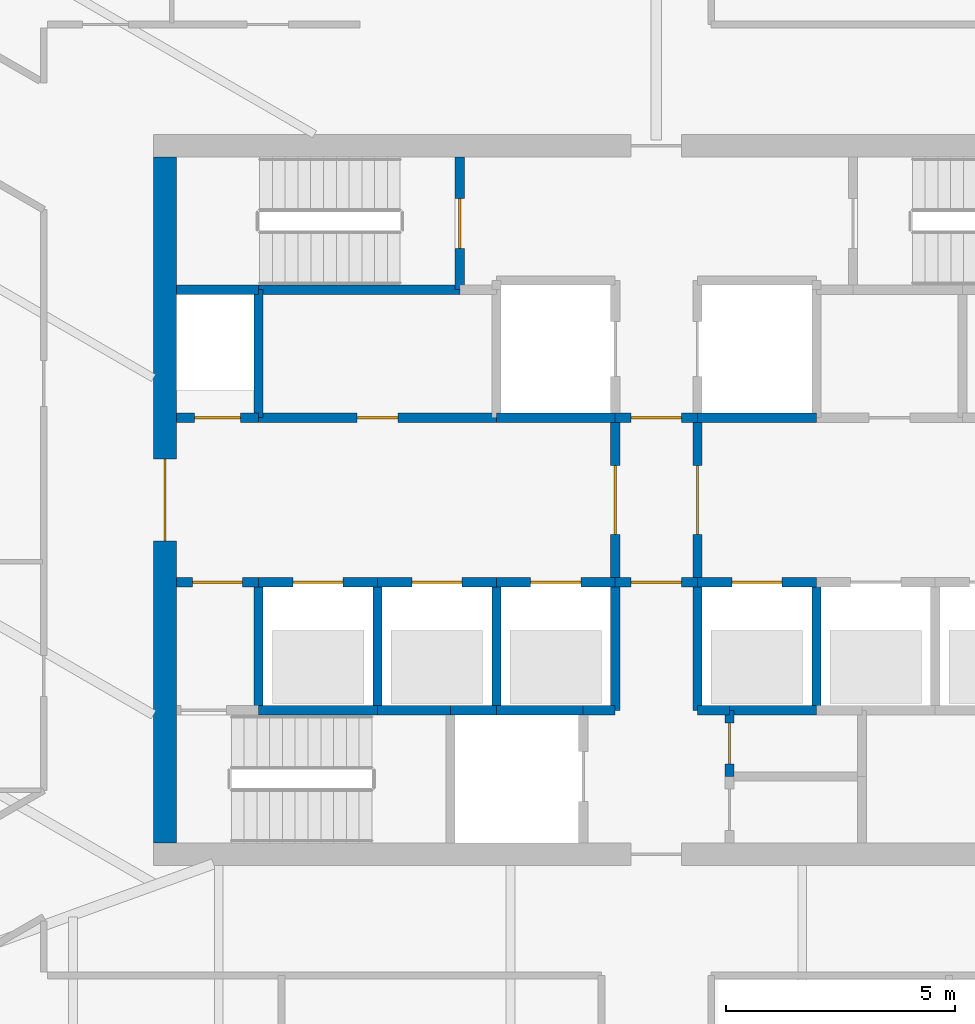
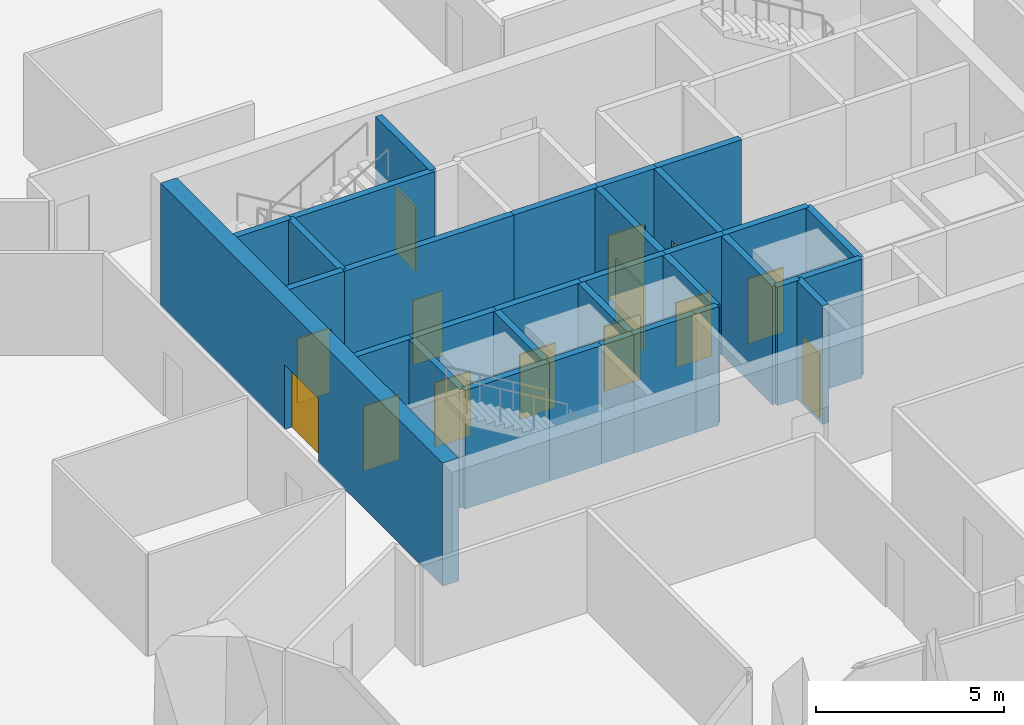
# One storey, part 9 of 18: 32 walls, 14 doors, 14 openings.
"""IFC4 building model written with IfcOpenShell, lengths in metres."""

from ifc_helpers import new_model, si_unit, direction, frame, frame_2d, origin, place, context, subcontext, project, spatial, rectangle, extrude, material, layer, layer_set, type_object, element, fill, save


model = new_model("IFC4")

# Units and contexts
model_context = context("Model", 3, precision=1e-05, world=origin(), true_north=direction((0.0, 1.0)))
body_context = subcontext(model_context, "Body", "Model", "MODEL_VIEW")
ifc_project = project(units=[si_unit("LENGTHUNIT", "METRE"), si_unit("AREAUNIT", "SQUARE_METRE"), si_unit("VOLUMEUNIT", "CUBIC_METRE"), si_unit("PLANEANGLEUNIT", "RADIAN"), si_unit("MASSUNIT", "GRAM", prefix="KILO")], contexts=[model_context])

# Site, building, storey
site_placement = place(None, origin())
site = spatial("IfcSite", under=ifc_project, at=site_placement, CompositionType="ELEMENT")
building_placement = place(site_placement, origin())
building = spatial("IfcBuilding", under=site, at=building_placement, Name="Sierra Prisma Convention Tower", CompositionType="ELEMENT")
storey_placement = place(building_placement, frame((0.0, 0.0, 287.0)))
storey = spatial("IfcBuildingStorey", under=building, at=storey_placement, Name="L65", CompositionType="ELEMENT", Elevation=287.0)

# Wall, opening, door
ifc_material_1 = material(Name="Concrete C30/37", Category="concrete")
ifc_layer_1 = layer(ifc_material_1, 0.199951171875)
ifc_layer_set_1 = layer_set([ifc_layer_1], Name="Core wall RC 200 C30/37")
wall_type_1 = type_object("IfcWallType", Name="Core wall RC 200 C30/37", PredefinedType="SOLIDWALL", material=ifc_layer_set_1)
wall_1_placement = place(storey_placement, frame((-10.5, -1.800048828125, 0.0), z_axis=(0.0, 0.0, 1.0), x_axis=(1.0, 0.0, 0.0)))
wall_1 = element("IfcWall", 1, at=wall_1_placement, inside=storey, type_object=wall_type_1, Name="Core wall L65 2", PredefinedType="SOLIDWALL", context=body_context, shape_type="SweptSolid", body=[
    extrude(rectangle(XDim=1.800048828125, YDim=0.199951171875, at=frame_2d((0.89990234375, 0.0))), origin(), (0.0, 0.0, 1.0), 3.85009765625),
])
opening_1_placement = place(wall_1_placement, frame((0.35009765625, 0.0, 0.0)))
opening_1 = element("IfcOpeningElement", 2, at=opening_1_placement, cuts=wall_1, Name="Opening L65-D012", PredefinedType="OPENING", context=body_context, shape_type="SweptSolid", body=[
    extrude(rectangle(XDim=1.10009765625, YDim=2.10009765625, at=frame_2d((0.550048828125, 1.050048828125))), frame((0.0, 0.10009765625, 0.0), z_axis=(0.0, -1.0, 0.0), x_axis=(1.0, 0.0, 0.0)), (0.0, 0.0, 1.0), 0.199951171875),
])
ifc_material_2 = material(Name="Steel fire door leaf", Category="steel")
door_type_1 = type_object("IfcDoorType", Name="Door 1100x2100 FD90S", OperationType="SINGLE_SWING_LEFT", PredefinedType="DOOR", material=ifc_material_2)
door_1_placement = place(opening_1_placement, origin())
door_1 = element("IfcDoor", 3, at=door_1_placement, inside=storey, type_object=door_type_1, Name="Door L65 27", OperationType="SINGLE_SWING_RIGHT", OverallHeight=2.10009765625, OverallWidth=1.10009765625, PredefinedType="DOOR", context=body_context, shape_type="SweptSolid", body=[
    extrude(rectangle(XDim=1.10009765625, YDim=2.10009765625, at=frame_2d((0.550048828125, 1.050048828125))), frame((0.0, 0.02490234375, 0.0), z_axis=(0.0, -1.0, 0.0), x_axis=(1.0, 0.0, 0.0)), (0.0, 0.0, 1.0), 0.050048828125),
])
fill(opening_1, door_1)

wall_2_placement = place(storey_placement, frame((-8.699951171875, 1.800048828125, 0.0), z_axis=(0.0, 0.0, 1.0), x_axis=(-1.0, 0.0, 0.0)))
wall_2 = element("IfcWall", 4, at=wall_2_placement, inside=storey, type_object=wall_type_1, Name="Core wall L65 3", PredefinedType="SOLIDWALL", context=body_context, shape_type="SweptSolid", body=[
    extrude(rectangle(XDim=1.800048828125, YDim=0.199951171875, at=frame_2d((0.89990234375, 0.0))), origin(), (0.0, 0.0, 1.0), 3.85009765625),
])
opening_2_placement = place(wall_2_placement, frame((0.39990234375, 0.0, 0.0)))
opening_2 = element("IfcOpeningElement", 5, at=opening_2_placement, cuts=wall_2, Name="Opening L65-D015", PredefinedType="OPENING", context=body_context, shape_type="SweptSolid", body=[
    extrude(rectangle(XDim=1.0, YDim=2.10009765625, at=frame_2d((0.5, 1.050048828125))), frame((0.0, 0.10009765625, 0.0), z_axis=(0.0, -1.0, 0.0), x_axis=(1.0, 0.0, 0.0)), (0.0, 0.0, 1.0), 0.199951171875),
])
ifc_material_3 = material(Name="Steel fire door leaf", Category="steel")
door_type_2 = type_object("IfcDoorType", Name="Door 1000x2100 FD60S", OperationType="SINGLE_SWING_LEFT", PredefinedType="DOOR", material=ifc_material_3)
door_2_placement = place(opening_2_placement, origin())
door_2 = element("IfcDoor", 6, at=door_2_placement, inside=storey, type_object=door_type_2, Name="Door L65 30", OperationType="SINGLE_SWING_RIGHT", OverallHeight=2.10009765625, OverallWidth=1.0, PredefinedType="DOOR", context=body_context, shape_type="SweptSolid", body=[
    extrude(rectangle(XDim=1.0, YDim=2.10009765625, at=frame_2d((0.5, 1.050048828125))), frame((0.0, 0.02490234375, 0.0), z_axis=(0.0, -1.0, 0.0), x_axis=(1.0, 0.0, 0.0)), (0.0, 0.0, 1.0), 0.050048828125),
])
fill(opening_2, door_2)

# Walls
wall_3_placement = place(storey_placement, frame((-8.699951171875, 4.60009765625, 0.0), z_axis=(0.0, 0.0, 1.0), x_axis=(-1.0, 0.0, 0.0)))
element("IfcWall", 7, at=wall_3_placement, inside=storey, type_object=wall_type_1, Name="Core wall L65 4", PredefinedType="SOLIDWALL", context=body_context, shape_type="SweptSolid", body=[
    extrude(rectangle(XDim=1.800048828125, YDim=0.199951171875, at=frame_2d((0.89990234375, 0.0))), origin(), (0.0, 0.0, 1.0), 3.85009765625),
])
wall_4_placement = place(storey_placement, frame((-8.699951171875, -4.60009765625, 0.0), z_axis=(0.0, 0.0, 1.0), x_axis=(1.0, 0.0, 0.0)))
element("IfcWall", 8, at=wall_4_placement, inside=storey, type_object=wall_type_1, Name="Core wall L65 5", PredefinedType="SOLIDWALL", context=body_context, shape_type="SweptSolid", body=[
    extrude(rectangle(XDim=2.599853515625, YDim=0.199951171875, at=frame_2d((1.2998046875, 0.0))), origin(), (0.0, 0.0, 1.0), 3.85009765625),
])
wall_5_placement = place(storey_placement, frame((-8.699951171875, -4.60009765625, 0.0), z_axis=(0.0, 0.0, 1.0), x_axis=(0.0, 1.0, 0.0)))
element("IfcWall", 9, at=wall_5_placement, inside=storey, type_object=wall_type_1, Name="Core wall L65 6", PredefinedType="SOLIDWALL", context=body_context, shape_type="SweptSolid", body=[
    extrude(rectangle(XDim=2.800048828125, YDim=0.199951171875, at=frame_2d((1.39990234375, 0.0))), origin(), (0.0, 0.0, 1.0), 3.85009765625),
])

# Wall, opening, door
wall_6_placement = place(storey_placement, frame((-8.699951171875, -1.800048828125, 0.0), z_axis=(0.0, 0.0, 1.0), x_axis=(1.0, 0.0, 0.0)))
wall_6 = element("IfcWall", 10, at=wall_6_placement, inside=storey, type_object=wall_type_1, Name="Core wall L65 7", PredefinedType="SOLIDWALL", context=body_context, shape_type="SweptSolid", body=[
    extrude(rectangle(XDim=2.599853515625, YDim=0.199951171875, at=frame_2d((1.2998046875, 0.0))), origin(), (0.0, 0.0, 1.0), 3.85009765625),
])
opening_3_placement = place(wall_6_placement, frame((0.75, 0.0, 0.0)))
opening_3 = element("IfcOpeningElement", 11, at=opening_3_placement, cuts=wall_6, Name="Opening L65-D001", PredefinedType="OPENING", context=body_context, shape_type="SweptSolid", body=[
    extrude(rectangle(XDim=1.10009765625, YDim=2.10009765625, at=frame_2d((0.550048828125, 1.050048828125))), frame((0.0, 0.10009765625, 0.0), z_axis=(0.0, -1.0, 0.0), x_axis=(1.0, 0.0, 0.0)), (0.0, 0.0, 1.0), 0.199951171875),
])
ifc_material_4 = material(Name="Steel fire door leaf", Category="steel")
door_type_3 = type_object("IfcDoorType", Name="Door 1100x2100 EI 90 sliding lift landing", OperationType="SLIDING_TO_LEFT", PredefinedType="DOOR", material=ifc_material_4)
door_3_placement = place(opening_3_placement, origin())
door_3 = element("IfcDoor", 12, at=door_3_placement, inside=storey, type_object=door_type_3, Name="Door L65 16", OperationType="SLIDING_TO_LEFT", OverallHeight=2.10009765625, OverallWidth=1.10009765625, PredefinedType="DOOR", context=body_context, shape_type="SweptSolid", body=[
    extrude(rectangle(XDim=1.10009765625, YDim=2.10009765625, at=frame_2d((0.550048828125, 1.050048828125))), frame((0.0, 0.02490234375, 0.0), z_axis=(0.0, -1.0, 0.0), x_axis=(1.0, 0.0, 0.0)), (0.0, 0.0, 1.0), 0.050048828125),
])
fill(opening_3, door_3)

wall_7_placement = place(storey_placement, frame((-8.699951171875, 1.800048828125, 0.0), z_axis=(0.0, 0.0, 1.0), x_axis=(1.0, 0.0, 0.0)))
wall_7 = element("IfcWall", 13, at=wall_7_placement, inside=storey, type_object=wall_type_1, Name="Core wall L65 8", PredefinedType="SOLIDWALL", context=body_context, shape_type="SweptSolid", body=[
    extrude(rectangle(XDim=5.199951171875, YDim=0.199951171875, at=frame_2d((2.60009765625, 0.0))), origin(), (0.0, 0.0, 1.0), 3.85009765625),
])
opening_4_placement = place(wall_7_placement, frame((2.14990234375, 0.0, 0.0)))
opening_4 = element("IfcOpeningElement", 14, at=opening_4_placement, cuts=wall_7, Name="Opening L65-D022", PredefinedType="OPENING", context=body_context, shape_type="SweptSolid", body=[
    extrude(rectangle(XDim=0.89990234375, YDim=2.10009765625, at=frame_2d((0.449951171875, 1.050048828125))), frame((0.0, 0.10009765625, 0.0), z_axis=(0.0, -1.0, 0.0), x_axis=(1.0, 0.0, 0.0)), (0.0, 0.0, 1.0), 0.199951171875),
])
ifc_material_5 = material(Name="Steel fire door leaf", Category="steel")
door_type_4 = type_object("IfcDoorType", Name="Door 900x2100 FD30S", OperationType="SINGLE_SWING_LEFT", PredefinedType="DOOR", material=ifc_material_5)
door_4_placement = place(opening_4_placement, origin())
door_4 = element("IfcDoor", 15, at=door_4_placement, inside=storey, type_object=door_type_4, Name="Door L65 37", OperationType="SINGLE_SWING_LEFT", OverallHeight=2.10009765625, OverallWidth=0.89990234375, PredefinedType="DOOR", context=body_context, shape_type="SweptSolid", body=[
    extrude(rectangle(XDim=0.89990234375, YDim=2.10009765625, at=frame_2d((0.449951171875, 1.050048828125))), frame((0.0, 0.02490234375, 0.0), z_axis=(0.0, -1.0, 0.0), x_axis=(1.0, 0.0, 0.0)), (0.0, 0.0, 1.0), 0.050048828125),
])
fill(opening_4, door_4)

# Walls
wall_8_placement = place(storey_placement, frame((-8.699951171875, 4.60009765625, 0.0), z_axis=(0.0, 0.0, 1.0), x_axis=(0.0, -1.0, 0.0)))
element("IfcWall", 16, at=wall_8_placement, inside=storey, type_object=wall_type_1, Name="Core wall L65 9", PredefinedType="SOLIDWALL", context=body_context, shape_type="SweptSolid", body=[
    extrude(rectangle(XDim=2.800048828125, YDim=0.199951171875, at=frame_2d((1.39990234375, 0.0))), origin(), (0.0, 0.0, 1.0), 3.85009765625),
])
wall_9_placement = place(storey_placement, frame((-4.300048828125, 4.60009765625, 0.0), z_axis=(0.0, 0.0, 1.0), x_axis=(-1.0, 0.0, 0.0)))
element("IfcWall", 17, at=wall_9_placement, inside=storey, type_object=wall_type_1, Name="Core wall L65 10", PredefinedType="SOLIDWALL", context=body_context, shape_type="SweptSolid", body=[
    extrude(rectangle(XDim=4.39990234375, YDim=0.199951171875, at=frame_2d((2.199951171875, 0.0))), origin(), (0.0, 0.0, 1.0), 3.85009765625),
])
wall_10_placement = place(storey_placement, frame((-6.10009765625, -4.60009765625, 0.0), z_axis=(0.0, 0.0, 1.0), x_axis=(1.0, 0.0, 0.0)))
element("IfcWall", 18, at=wall_10_placement, inside=storey, type_object=wall_type_1, Name="Core wall L65 11", PredefinedType="SOLIDWALL", context=body_context, shape_type="SweptSolid", body=[
    extrude(rectangle(XDim=1.60009765625, YDim=0.199951171875, at=frame_2d((0.800048828125, 0.0))), origin(), (0.0, 0.0, 1.0), 3.85009765625),
])
wall_11_placement = place(storey_placement, frame((-6.10009765625, -4.60009765625, 0.0), z_axis=(0.0, 0.0, 1.0), x_axis=(0.0, 1.0, 0.0)))
element("IfcWall", 19, at=wall_11_placement, inside=storey, type_object=wall_type_1, Name="Core wall L65 12", PredefinedType="SOLIDWALL", context=body_context, shape_type="SweptSolid", body=[
    extrude(rectangle(XDim=2.800048828125, YDim=0.199951171875, at=frame_2d((1.39990234375, 0.0))), origin(), (0.0, 0.0, 1.0), 3.85009765625),
])

# Wall, opening, door
wall_12_placement = place(storey_placement, frame((-6.10009765625, -1.800048828125, 0.0), z_axis=(0.0, 0.0, 1.0), x_axis=(1.0, 0.0, 0.0)))
wall_12 = element("IfcWall", 20, at=wall_12_placement, inside=storey, type_object=wall_type_1, Name="Core wall L65 13", PredefinedType="SOLIDWALL", context=body_context, shape_type="SweptSolid", body=[
    extrude(rectangle(XDim=2.60009765625, YDim=0.199951171875, at=frame_2d((1.300048828125, 0.0))), origin(), (0.0, 0.0, 1.0), 3.85009765625),
])
opening_5_placement = place(wall_12_placement, frame((0.75, 0.0, 0.0)))
opening_5 = element("IfcOpeningElement", 21, at=opening_5_placement, cuts=wall_12, Name="Opening L65-D002", PredefinedType="OPENING", context=body_context, shape_type="SweptSolid", body=[
    extrude(rectangle(XDim=1.10009765625, YDim=2.10009765625, at=frame_2d((0.550048828125, 1.050048828125))), frame((0.0, 0.10009765625, 0.0), z_axis=(0.0, -1.0, 0.0), x_axis=(1.0, 0.0, 0.0)), (0.0, 0.0, 1.0), 0.199951171875),
])
door_5_placement = place(opening_5_placement, origin())
door_5 = element("IfcDoor", 22, at=door_5_placement, inside=storey, type_object=door_type_3, Name="Door L65 17", OperationType="SLIDING_TO_LEFT", OverallHeight=2.10009765625, OverallWidth=1.10009765625, PredefinedType="DOOR", context=body_context, shape_type="SweptSolid", body=[
    extrude(rectangle(XDim=1.10009765625, YDim=2.10009765625, at=frame_2d((0.550048828125, 1.050048828125))), frame((0.0, 0.02490234375, 0.0), z_axis=(0.0, -1.0, 0.0), x_axis=(1.0, 0.0, 0.0)), (0.0, 0.0, 1.0), 0.050048828125),
])
fill(opening_5, door_5)

# Wall
wall_13_placement = place(storey_placement, frame((-4.5, -4.60009765625, 0.0), z_axis=(0.0, 0.0, 1.0), x_axis=(1.0, 0.0, 0.0)))
element("IfcWall", 23, at=wall_13_placement, inside=storey, type_object=wall_type_1, Name="Core wall L65 15", PredefinedType="SOLIDWALL", context=body_context, shape_type="SweptSolid", body=[
    extrude(rectangle(XDim=1.0, YDim=0.199951171875, at=frame_2d((0.5, 0.0))), origin(), (0.0, 0.0, 1.0), 3.85009765625),
])

# Wall, opening, door
wall_14_placement = place(storey_placement, frame((-4.300048828125, 4.60009765625, 0.0), z_axis=(0.0, 0.0, 1.0), x_axis=(0.0, 1.0, 0.0)))
wall_14 = element("IfcWall", 24, at=wall_14_placement, inside=storey, type_object=wall_type_1, Name="Core wall L65 17", PredefinedType="SOLIDWALL", context=body_context, shape_type="SweptSolid", body=[
    extrude(rectangle(XDim=2.89990234375, YDim=0.199951171875, at=frame_2d((1.449951171875, 0.0))), origin(), (0.0, 0.0, 1.0), 3.85009765625),
])
opening_6_placement = place(wall_14_placement, frame((0.89990234375, 0.0, 0.0)))
opening_6 = element("IfcOpeningElement", 25, at=opening_6_placement, cuts=wall_14, Name="Opening L65-D018", PredefinedType="OPENING", context=body_context, shape_type="SweptSolid", body=[
    extrude(rectangle(XDim=1.10009765625, YDim=2.10009765625, at=frame_2d((0.550048828125, 1.050048828125))), frame((0.0, 0.10009765625, 0.0), z_axis=(0.0, -1.0, 0.0), x_axis=(1.0, 0.0, 0.0)), (0.0, 0.0, 1.0), 0.199951171875),
])
door_6_placement = place(opening_6_placement, origin())
door_6 = element("IfcDoor", 26, at=door_6_placement, inside=storey, type_object=door_type_1, Name="Door L65 33", OperationType="SINGLE_SWING_LEFT", OverallHeight=2.10009765625, OverallWidth=1.10009765625, PredefinedType="DOOR", context=body_context, shape_type="SweptSolid", body=[
    extrude(rectangle(XDim=1.10009765625, YDim=2.10009765625, at=frame_2d((0.550048828125, 1.050048828125))), frame((0.0, 0.02490234375, 0.0), z_axis=(0.0, -1.0, 0.0), x_axis=(1.0, 0.0, 0.0)), (0.0, 0.0, 1.0), 0.050048828125),
])
fill(opening_6, door_6)

# Walls
wall_15_placement = place(storey_placement, frame((-3.5, -4.60009765625, 0.0), z_axis=(0.0, 0.0, 1.0), x_axis=(1.0, 0.0, 0.0)))
element("IfcWall", 27, at=wall_15_placement, inside=storey, type_object=wall_type_1, Name="Core wall L65 18", PredefinedType="SOLIDWALL", context=body_context, shape_type="SweptSolid", body=[
    extrude(rectangle(XDim=1.89990234375, YDim=0.199951171875, at=frame_2d((0.949951171875, 0.0))), origin(), (0.0, 0.0, 1.0), 3.85009765625),
])
wall_16_placement = place(storey_placement, frame((-3.5, -4.60009765625, 0.0), z_axis=(0.0, 0.0, 1.0), x_axis=(0.0, 1.0, 0.0)))
element("IfcWall", 28, at=wall_16_placement, inside=storey, type_object=wall_type_1, Name="Core wall L65 19", PredefinedType="SOLIDWALL", context=body_context, shape_type="SweptSolid", body=[
    extrude(rectangle(XDim=2.800048828125, YDim=0.199951171875, at=frame_2d((1.39990234375, 0.0))), origin(), (0.0, 0.0, 1.0), 3.85009765625),
])

# Wall, opening, door
wall_17_placement = place(storey_placement, frame((-3.5, -1.800048828125, 0.0), z_axis=(0.0, 0.0, 1.0), x_axis=(1.0, 0.0, 0.0)))
wall_17 = element("IfcWall", 29, at=wall_17_placement, inside=storey, type_object=wall_type_1, Name="Core wall L65 20", PredefinedType="SOLIDWALL", context=body_context, shape_type="SweptSolid", body=[
    extrude(rectangle(XDim=2.60009765625, YDim=0.199951171875, at=frame_2d((1.300048828125, 0.0))), origin(), (0.0, 0.0, 1.0), 3.85009765625),
])
opening_7_placement = place(wall_17_placement, frame((0.75, 0.0, 0.0)))
opening_7 = element("IfcOpeningElement", 30, at=opening_7_placement, cuts=wall_17, Name="Opening L65-D003", PredefinedType="OPENING", context=body_context, shape_type="SweptSolid", body=[
    extrude(rectangle(XDim=1.10009765625, YDim=2.10009765625, at=frame_2d((0.550048828125, 1.050048828125))), frame((0.0, 0.10009765625, 0.0), z_axis=(0.0, -1.0, 0.0), x_axis=(1.0, 0.0, 0.0)), (0.0, 0.0, 1.0), 0.199951171875),
])
door_7_placement = place(opening_7_placement, origin())
door_7 = element("IfcDoor", 31, at=door_7_placement, inside=storey, type_object=door_type_3, Name="Door L65 18", OperationType="SLIDING_TO_LEFT", OverallHeight=2.10009765625, OverallWidth=1.10009765625, PredefinedType="DOOR", context=body_context, shape_type="SweptSolid", body=[
    extrude(rectangle(XDim=1.10009765625, YDim=2.10009765625, at=frame_2d((0.550048828125, 1.050048828125))), frame((0.0, 0.02490234375, 0.0), z_axis=(0.0, -1.0, 0.0), x_axis=(1.0, 0.0, 0.0)), (0.0, 0.0, 1.0), 0.050048828125),
])
fill(opening_7, door_7)

# Walls
wall_18_placement = place(storey_placement, frame((-0.89990234375, 1.800048828125, 0.0), z_axis=(0.0, 0.0, 1.0), x_axis=(-1.0, 0.0, 0.0)))
element("IfcWall", 32, at=wall_18_placement, inside=storey, type_object=wall_type_1, Name="Core wall L65 21", PredefinedType="SOLIDWALL", context=body_context, shape_type="SweptSolid", body=[
    extrude(rectangle(XDim=2.60009765625, YDim=0.199951171875, at=frame_2d((1.300048828125, 0.0))), origin(), (0.0, 0.0, 1.0), 3.85009765625),
])
wall_19_placement = place(storey_placement, frame((-1.60009765625, -4.60009765625, 0.0), z_axis=(0.0, 0.0, 1.0), x_axis=(1.0, 0.0, 0.0)))
element("IfcWall", 33, at=wall_19_placement, inside=storey, type_object=wall_type_1, Name="Core wall L65 27", PredefinedType="SOLIDWALL", context=body_context, shape_type="SweptSolid", body=[
    extrude(rectangle(XDim=0.7001953125, YDim=0.199951171875, at=frame_2d((0.35009765625, 0.0))), origin(), (0.0, 0.0, 1.0), 3.85009765625),
])
wall_20_placement = place(storey_placement, frame((-0.89990234375, -4.60009765625, 0.0), z_axis=(0.0, 0.0, 1.0), x_axis=(0.0, 1.0, 0.0)))
element("IfcWall", 34, at=wall_20_placement, inside=storey, type_object=wall_type_1, Name="Core wall L65 28", PredefinedType="SOLIDWALL", context=body_context, shape_type="SweptSolid", body=[
    extrude(rectangle(XDim=2.800048828125, YDim=0.199951171875, at=frame_2d((1.39990234375, 0.0))), origin(), (0.0, 0.0, 1.0), 3.85009765625),
])

# Wall, opening, door
wall_21_placement = place(storey_placement, frame((-0.89990234375, -1.800048828125, 0.0), z_axis=(0.0, 0.0, 1.0), x_axis=(1.0, 0.0, 0.0)))
wall_21 = element("IfcWall", 35, at=wall_21_placement, inside=storey, type_object=wall_type_1, Name="Core wall L65 29", PredefinedType="SOLIDWALL", context=body_context, shape_type="SweptSolid", body=[
    extrude(rectangle(XDim=1.7998046875, YDim=0.199951171875, at=frame_2d((0.89990234375, 0.0))), origin(), (0.0, 0.0, 1.0), 3.85009765625),
])
opening_8_placement = place(wall_21_placement, frame((0.35009765625, 0.0, 0.0)))
opening_8 = element("IfcOpeningElement", 36, at=opening_8_placement, cuts=wall_21, Name="Opening L65-D014", PredefinedType="OPENING", context=body_context, shape_type="SweptSolid", body=[
    extrude(rectangle(XDim=1.10009765625, YDim=2.10009765625, at=frame_2d((0.550048828125, 1.050048828125))), frame((0.0, 0.10009765625, 0.0), z_axis=(0.0, -1.0, 0.0), x_axis=(1.0, 0.0, 0.0)), (0.0, 0.0, 1.0), 0.199951171875),
])
ifc_material_6 = material(Name="Steel fire door leaf", Category="steel")
door_type_5 = type_object("IfcDoorType", Name="Door 1100x2100 FD30S", OperationType="SINGLE_SWING_LEFT", PredefinedType="DOOR", material=ifc_material_6)
door_8_placement = place(opening_8_placement, origin())
door_8 = element("IfcDoor", 37, at=door_8_placement, inside=storey, type_object=door_type_5, Name="Door L65 29", OperationType="SINGLE_SWING_RIGHT", OverallHeight=2.10009765625, OverallWidth=1.10009765625, PredefinedType="DOOR", context=body_context, shape_type="SweptSolid", body=[
    extrude(rectangle(XDim=1.10009765625, YDim=2.10009765625, at=frame_2d((0.550048828125, 1.050048828125))), frame((0.0, 0.02490234375, 0.0), z_axis=(0.0, -1.0, 0.0), x_axis=(1.0, 0.0, 0.0)), (0.0, 0.0, 1.0), 0.050048828125),
])
fill(opening_8, door_8)

wall_22_placement = place(storey_placement, frame((-0.89990234375, 1.800048828125, 0.0), z_axis=(0.0, 0.0, 1.0), x_axis=(0.0, -1.0, 0.0)))
wall_22 = element("IfcWall", 38, at=wall_22_placement, inside=storey, type_object=wall_type_1, Name="Core wall L65 30", PredefinedType="SOLIDWALL", context=body_context, shape_type="SweptSolid", body=[
    extrude(rectangle(XDim=3.60009765625, YDim=0.199951171875, at=frame_2d((1.800048828125, 0.0))), origin(), (0.0, 0.0, 1.0), 3.85009765625),
])
opening_9_placement = place(wall_22_placement, frame((1.050048828125, 0.0, 0.0)))
opening_9 = element("IfcOpeningElement", 39, at=opening_9_placement, cuts=wall_22, Name="Opening L65-D010", PredefinedType="OPENING", context=body_context, shape_type="SweptSolid", body=[
    extrude(rectangle(XDim=1.5, YDim=2.10009765625, at=frame_2d((0.75, 1.050048828125))), frame((0.0, 0.10009765625, 0.0), z_axis=(0.0, -1.0, 0.0), x_axis=(1.0, 0.0, 0.0)), (0.0, 0.0, 1.0), 0.199951171875),
])
ifc_material_7 = material(Name="Steel fire door leaf", Category="steel")
door_type_6 = type_object("IfcDoorType", Name="Door 1500x2100 FD30S", OperationType="DOUBLE_DOOR_SINGLE_SWING", PredefinedType="DOOR", material=ifc_material_7)
door_9_placement = place(opening_9_placement, origin())
door_9 = element("IfcDoor", 40, at=door_9_placement, inside=storey, type_object=door_type_6, Name="Door L65 25", OperationType="DOUBLE_DOOR_SINGLE_SWING", OverallHeight=2.10009765625, OverallWidth=1.5, PredefinedType="DOOR", context=body_context, shape_type="SweptSolid", body=[
    extrude(rectangle(XDim=1.5, YDim=2.10009765625, at=frame_2d((0.75, 1.050048828125))), frame((0.0, 0.02490234375, 0.0), z_axis=(0.0, -1.0, 0.0), x_axis=(1.0, 0.0, 0.0)), (0.0, 0.0, 1.0), 0.050048828125),
])
fill(opening_9, door_9)

wall_23_placement = place(storey_placement, frame((0.89990234375, 1.800048828125, 0.0), z_axis=(0.0, 0.0, 1.0), x_axis=(-1.0, 0.0, 0.0)))
wall_23 = element("IfcWall", 41, at=wall_23_placement, inside=storey, type_object=wall_type_1, Name="Core wall L65 31", PredefinedType="SOLIDWALL", context=body_context, shape_type="SweptSolid", body=[
    extrude(rectangle(XDim=1.7998046875, YDim=0.199951171875, at=frame_2d((0.89990234375, 0.0))), origin(), (0.0, 0.0, 1.0), 3.85009765625),
])
opening_10_placement = place(wall_23_placement, frame((0.35009765625, 0.0, 0.0)))
opening_10 = element("IfcOpeningElement", 42, at=opening_10_placement, cuts=wall_23, Name="Opening L65-D013", PredefinedType="OPENING", context=body_context, shape_type="SweptSolid", body=[
    extrude(rectangle(XDim=1.10009765625, YDim=2.10009765625, at=frame_2d((0.550048828125, 1.050048828125))), frame((0.0, 0.10009765625, 0.0), z_axis=(0.0, -1.0, 0.0), x_axis=(1.0, 0.0, 0.0)), (0.0, 0.0, 1.0), 0.199951171875),
])
ifc_material_8 = material(Name="Steel fire door leaf", Category="steel")
door_type_7 = type_object("IfcDoorType", Name="Door 1100x2100 FD60S", OperationType="SINGLE_SWING_LEFT", PredefinedType="DOOR", material=ifc_material_8)
door_10_placement = place(opening_10_placement, origin())
door_10 = element("IfcDoor", 43, at=door_10_placement, inside=storey, type_object=door_type_7, Name="Door L65 28", OperationType="SINGLE_SWING_LEFT", OverallHeight=2.10009765625, OverallWidth=1.10009765625, PredefinedType="DOOR", context=body_context, shape_type="SweptSolid", body=[
    extrude(rectangle(XDim=1.10009765625, YDim=2.10009765625, at=frame_2d((0.550048828125, 1.050048828125))), frame((0.0, 0.02490234375, 0.0), z_axis=(0.0, -1.0, 0.0), x_axis=(1.0, 0.0, 0.0)), (0.0, 0.0, 1.0), 0.050048828125),
])
fill(opening_10, door_10)

wall_24_placement = place(storey_placement, frame((0.89990234375, -1.800048828125, 0.0), z_axis=(0.0, 0.0, 1.0), x_axis=(1.0, 0.0, 0.0)))
wall_24 = element("IfcWall", 44, at=wall_24_placement, inside=storey, type_object=wall_type_1, Name="Core wall L65 32", PredefinedType="SOLIDWALL", context=body_context, shape_type="SweptSolid", body=[
    extrude(rectangle(XDim=2.60009765625, YDim=0.199951171875, at=frame_2d((1.300048828125, 0.0))), origin(), (0.0, 0.0, 1.0), 3.85009765625),
])
opening_11_placement = place(wall_24_placement, frame((0.75, 0.0, 0.0)))
opening_11 = element("IfcOpeningElement", 45, at=opening_11_placement, cuts=wall_24, Name="Opening L65-D004", PredefinedType="OPENING", context=body_context, shape_type="SweptSolid", body=[
    extrude(rectangle(XDim=1.10009765625, YDim=2.10009765625, at=frame_2d((0.550048828125, 1.050048828125))), frame((0.0, 0.10009765625, 0.0), z_axis=(0.0, -1.0, 0.0), x_axis=(1.0, 0.0, 0.0)), (0.0, 0.0, 1.0), 0.199951171875),
])
door_11_placement = place(opening_11_placement, origin())
door_11 = element("IfcDoor", 46, at=door_11_placement, inside=storey, type_object=door_type_3, Name="Door L65 19", OperationType="SLIDING_TO_RIGHT", OverallHeight=2.10009765625, OverallWidth=1.10009765625, PredefinedType="DOOR", context=body_context, shape_type="SweptSolid", body=[
    extrude(rectangle(XDim=1.10009765625, YDim=2.10009765625, at=frame_2d((0.550048828125, 1.050048828125))), frame((0.0, 0.02490234375, 0.0), z_axis=(0.0, -1.0, 0.0), x_axis=(1.0, 0.0, 0.0)), (0.0, 0.0, 1.0), 0.050048828125),
])
fill(opening_11, door_11)

wall_25_placement = place(storey_placement, frame((0.89990234375, -1.800048828125, 0.0), z_axis=(0.0, 0.0, 1.0), x_axis=(0.0, 1.0, 0.0)))
wall_25 = element("IfcWall", 47, at=wall_25_placement, inside=storey, type_object=wall_type_1, Name="Core wall L65 33", PredefinedType="SOLIDWALL", context=body_context, shape_type="SweptSolid", body=[
    extrude(rectangle(XDim=3.60009765625, YDim=0.199951171875, at=frame_2d((1.800048828125, 0.0))), origin(), (0.0, 0.0, 1.0), 3.85009765625),
])
opening_12_placement = place(wall_25_placement, frame((1.050048828125, 0.0, 0.0)))
opening_12 = element("IfcOpeningElement", 48, at=opening_12_placement, cuts=wall_25, Name="Opening L65-D011", PredefinedType="OPENING", context=body_context, shape_type="SweptSolid", body=[
    extrude(rectangle(XDim=1.5, YDim=2.10009765625, at=frame_2d((0.75, 1.050048828125))), frame((0.0, 0.10009765625, 0.0), z_axis=(0.0, -1.0, 0.0), x_axis=(1.0, 0.0, 0.0)), (0.0, 0.0, 1.0), 0.199951171875),
])
door_12_placement = place(opening_12_placement, origin())
door_12 = element("IfcDoor", 49, at=door_12_placement, inside=storey, type_object=door_type_6, Name="Door L65 26", OperationType="DOUBLE_DOOR_SINGLE_SWING", OverallHeight=2.10009765625, OverallWidth=1.5, PredefinedType="DOOR", context=body_context, shape_type="SweptSolid", body=[
    extrude(rectangle(XDim=1.5, YDim=2.10009765625, at=frame_2d((0.75, 1.050048828125))), frame((0.0, 0.02490234375, 0.0), z_axis=(0.0, -1.0, 0.0), x_axis=(1.0, 0.0, 0.0)), (0.0, 0.0, 1.0), 0.050048828125),
])
fill(opening_12, door_12)

# Walls
wall_26_placement = place(storey_placement, frame((0.89990234375, -1.800048828125, 0.0), z_axis=(0.0, 0.0, 1.0), x_axis=(0.0, -1.0, 0.0)))
element("IfcWall", 50, at=wall_26_placement, inside=storey, type_object=wall_type_1, Name="Core wall L65 34", PredefinedType="SOLIDWALL", context=body_context, shape_type="SweptSolid", body=[
    extrude(rectangle(XDim=2.800048828125, YDim=0.199951171875, at=frame_2d((1.39990234375, 0.0))), origin(), (0.0, 0.0, 1.0), 3.85009765625),
])
wall_27_placement = place(storey_placement, frame((0.89990234375, -4.60009765625, 0.0), z_axis=(0.0, 0.0, 1.0), x_axis=(1.0, 0.0, 0.0)))
element("IfcWall", 51, at=wall_27_placement, inside=storey, type_object=wall_type_1, Name="Core wall L65 35", PredefinedType="SOLIDWALL", context=body_context, shape_type="SweptSolid", body=[
    extrude(rectangle(XDim=0.7001953125, YDim=0.199951171875, at=frame_2d((0.35009765625, 0.0))), origin(), (0.0, 0.0, 1.0), 3.85009765625),
])
wall_28_placement = place(storey_placement, frame((3.5, 1.800048828125, 0.0), z_axis=(0.0, 0.0, 1.0), x_axis=(-1.0, 0.0, 0.0)))
element("IfcWall", 52, at=wall_28_placement, inside=storey, type_object=wall_type_1, Name="Core wall L65 36", PredefinedType="SOLIDWALL", context=body_context, shape_type="SweptSolid", body=[
    extrude(rectangle(XDim=2.60009765625, YDim=0.199951171875, at=frame_2d((1.300048828125, 0.0))), origin(), (0.0, 0.0, 1.0), 3.85009765625),
])

# Wall, opening, door
wall_29_placement = place(storey_placement, frame((1.60009765625, -4.60009765625, 0.0), z_axis=(0.0, 0.0, 1.0), x_axis=(0.0, -1.0, 0.0)))
wall_29 = element("IfcWall", 53, at=wall_29_placement, inside=storey, type_object=wall_type_1, Name="Core wall L65 42", PredefinedType="SOLIDWALL", context=body_context, shape_type="SweptSolid", body=[
    extrude(rectangle(XDim=1.449951171875, YDim=0.199951171875, at=frame_2d((0.72509765625, 0.0))), origin(), (0.0, 0.0, 1.0), 3.85009765625),
])
opening_13_placement = place(wall_29_placement, frame((0.27490234375, 0.0, 0.0)))
opening_13 = element("IfcOpeningElement", 54, at=opening_13_placement, cuts=wall_29, Name="Opening L65-D026", PredefinedType="OPENING", context=body_context, shape_type="SweptSolid", body=[
    extrude(rectangle(XDim=0.89990234375, YDim=2.10009765625, at=frame_2d((0.449951171875, 1.050048828125))), frame((0.0, 0.10009765625, 0.0), z_axis=(0.0, -1.0, 0.0), x_axis=(1.0, 0.0, 0.0)), (0.0, 0.0, 1.0), 0.199951171875),
])
door_13_placement = place(opening_13_placement, origin())
door_13 = element("IfcDoor", 55, at=door_13_placement, inside=storey, type_object=door_type_4, Name="Door L65 41", OperationType="SINGLE_SWING_LEFT", OverallHeight=2.10009765625, OverallWidth=0.89990234375, PredefinedType="DOOR", context=body_context, shape_type="SweptSolid", body=[
    extrude(rectangle(XDim=0.89990234375, YDim=2.10009765625, at=frame_2d((0.449951171875, 1.050048828125))), frame((0.0, 0.02490234375, 0.0), z_axis=(0.0, -1.0, 0.0), x_axis=(1.0, 0.0, 0.0)), (0.0, 0.0, 1.0), 0.050048828125),
])
fill(opening_13, door_13)

# Walls
wall_30_placement = place(storey_placement, frame((3.5, -4.60009765625, 0.0), z_axis=(0.0, 0.0, 1.0), x_axis=(-1.0, 0.0, 0.0)))
element("IfcWall", 56, at=wall_30_placement, inside=storey, type_object=wall_type_1, Name="Core wall L65 43", PredefinedType="SOLIDWALL", context=body_context, shape_type="SweptSolid", body=[
    extrude(rectangle(XDim=1.89990234375, YDim=0.199951171875, at=frame_2d((0.949951171875, 0.0))), origin(), (0.0, 0.0, 1.0), 3.85009765625),
])
wall_31_placement = place(storey_placement, frame((3.5, -4.60009765625, 0.0), z_axis=(0.0, 0.0, 1.0), x_axis=(0.0, 1.0, 0.0)))
element("IfcWall", 57, at=wall_31_placement, inside=storey, type_object=wall_type_1, Name="Core wall L65 45", PredefinedType="SOLIDWALL", context=body_context, shape_type="SweptSolid", body=[
    extrude(rectangle(XDim=2.800048828125, YDim=0.199951171875, at=frame_2d((1.39990234375, 0.0))), origin(), (0.0, 0.0, 1.0), 3.85009765625),
])

# Wall, opening, door
ifc_material_9 = material(Name="Concrete C50/60", Category="concrete")
ifc_layer_2 = layer(ifc_material_9, 0.5)
ifc_layer_set_2 = layer_set([ifc_layer_2], Name="Core wall RC 500 C50/60")
wall_type_2 = type_object("IfcWallType", Name="Core wall RC 500 C50/60", PredefinedType="SHEAR", material=ifc_layer_set_2)
wall_32_placement = place(storey_placement, frame((-10.75, -7.5, 0.0), z_axis=(0.0, 0.0, 1.0), x_axis=(0.0, 1.0, 0.0)))
wall_32 = element("IfcWall", 58, at=wall_32_placement, inside=storey, type_object=wall_type_2, Name="Core wall W L65", PredefinedType="SHEAR", context=body_context, shape_type="SweptSolid", body=[
    extrude(rectangle(XDim=15.0, YDim=0.5, at=frame_2d((7.5, 0.0))), origin(), (0.0, 0.0, 1.0), 4.0),
])
opening_14_placement = place(wall_32_placement, frame((6.60009765625, 0.0, 0.0)))
opening_14 = element("IfcOpeningElement", 59, at=opening_14_placement, cuts=wall_32, Name="Opening L65-D045", PredefinedType="OPENING", context=body_context, shape_type="SweptSolid", body=[
    extrude(rectangle(XDim=1.800048828125, YDim=2.10009765625, at=frame_2d((0.89990234375, 1.050048828125))), frame((0.0, 0.25, 0.0), z_axis=(0.0, -1.0, 0.0), x_axis=(1.0, 0.0, 0.0)), (0.0, 0.0, 1.0), 0.5),
])
ifc_material_10 = material(Name="Steel fire door leaf", Category="steel")
door_type_8 = type_object("IfcDoorType", Name="Door 1800x2100 FD60S", OperationType="DOUBLE_DOOR_SINGLE_SWING", PredefinedType="DOOR", material=ifc_material_10)
door_14_placement = place(opening_14_placement, origin())
door_14 = element("IfcDoor", 60, at=door_14_placement, inside=storey, type_object=door_type_8, Name="Door L65 42", OperationType="DOUBLE_DOOR_SINGLE_SWING", OverallHeight=2.10009765625, OverallWidth=1.800048828125, PredefinedType="DOOR", context=body_context, shape_type="SweptSolid", body=[
    extrude(rectangle(XDim=1.800048828125, YDim=2.10009765625, at=frame_2d((0.89990234375, 1.050048828125))), frame((0.0, 0.02490234375, 0.0), z_axis=(0.0, -1.0, 0.0), x_axis=(1.0, 0.0, 0.0)), (0.0, 0.0, 1.0), 0.050048828125),
])
fill(opening_14, door_14)

save(model, "model.ifc")
